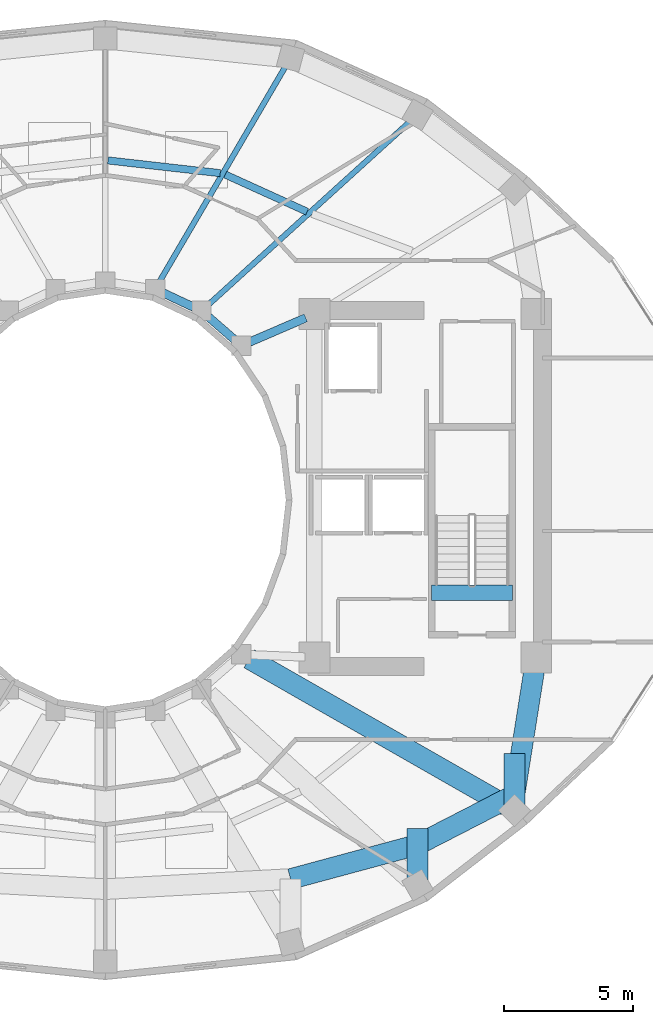
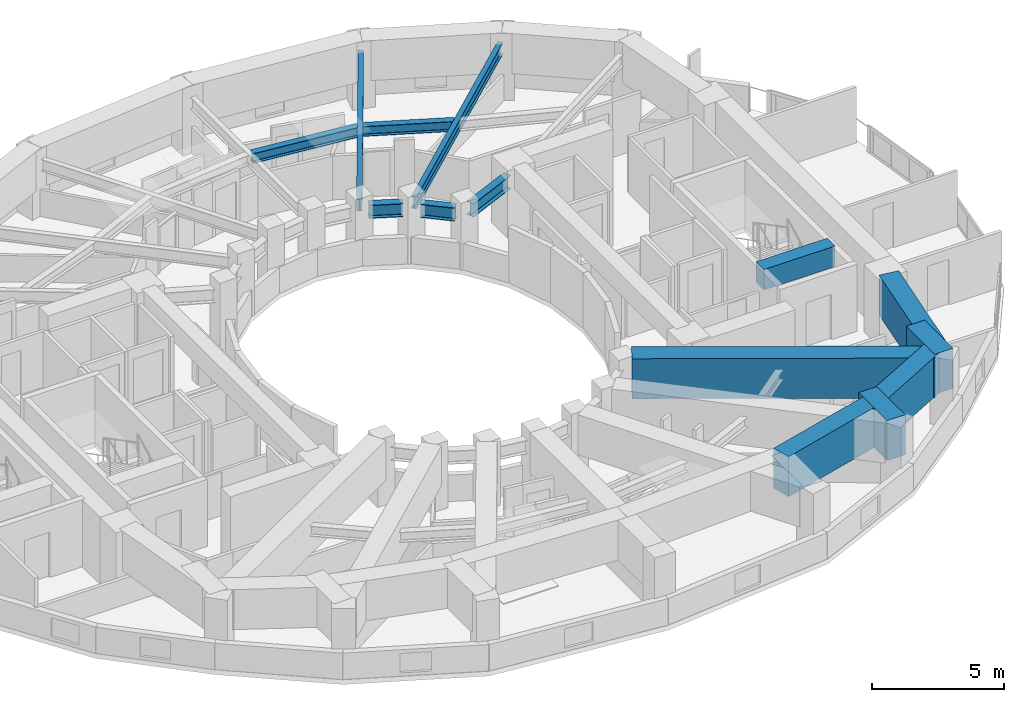
# One storey, part 2 of 13: 14 beams.
"""IFC4 building model written with IfcOpenShell, lengths in metres."""

import ifcopenshell
import ifcopenshell.guid

model = None  # the IFC model being written
_history = None  # IfcOwnerHistory: only IFC2X3 demands one
_inside = {}  # id of a spatial element -> (the spatial element, [elements in it])
_under = {}  # id of a project, library or spatial element -> (it, [spatial elements below it])
_declared = {}  # id of a project -> (the project, [libraries it declares])
_typed = {}  # id of a type object -> (the type object, [elements of that type])
_made_of = {}  # id of a material, layer set ... -> (it, [elements and type objects made of it])


def new_model(schema):
    """Start an empty IFC model of exactly this schema.

    Asked for "IFC4X3", IfcOpenShell would pick the latest addendum, in which some entities
    have other attributes; the version numbers below select the first issue.
    IFC2X3 requires an IfcOwnerHistory on every rooted entity: one is made here for all.
    """
    global model, _history
    if schema == "IFC4X3":
        model = ifcopenshell.file(schema_version=(4, 3, 0, 0))
    else:
        model = ifcopenshell.file(schema=schema)
    _inside.clear()
    _under.clear()
    _declared.clear()
    _typed.clear()
    _made_of.clear()
    _history = None
    if model.schema == "IFC2X3":
        org = make("IfcOrganization", Name="unknown")
        user = make(
            "IfcPersonAndOrganization",
            ThePerson=make("IfcPerson", FamilyName="unknown"),
            TheOrganization=org,
        )
        app = make(
            "IfcApplication",
            ApplicationDeveloper=org,
            Version="unknown",
            ApplicationFullName="unknown",
            ApplicationIdentifier="unknown",
        )
        _history = make(
            "IfcOwnerHistory",
            OwningUser=user,
            OwningApplication=app,
            ChangeAction="ADDED",
            CreationDate=0,
        )
    return model


def make(cls, **values):
    """One entity of the class cls with the attributes given. An attribute that is None is left unset."""
    return model.create_entity(
        cls, **{name: value for name, value in values.items() if value is not None}
    )


def rooted(cls, **values):
    """An entity with a GlobalId (a new one), such as an element, a storey or a relation."""
    return make(cls, GlobalId=ifcopenshell.guid.new(), OwnerHistory=_history, **values)


def si_unit(unit_type, name, prefix=None):
    """IfcSIUnit, for example si_unit("LENGTHUNIT", "METRE", prefix="MILLI")."""
    return make("IfcSIUnit", UnitType=unit_type, Prefix=prefix, Name=name)


def assignment(units):
    """IfcUnitAssignment: the units of a project."""
    return None if units is None else make("IfcUnitAssignment", Units=units)


def point(xyz):
    """IfcCartesianPoint."""
    return None if xyz is None else make("IfcCartesianPoint", Coordinates=xyz)


def direction(xyz):
    """IfcDirection."""
    return None if xyz is None else make("IfcDirection", DirectionRatios=xyz)


def frame(location, z_axis=None, x_axis=None):
    """IfcAxis2Placement3D, a coordinate frame: its origin and axes. An axis left out is left unset."""
    return make(
        "IfcAxis2Placement3D",
        Location=point(location),
        Axis=direction(z_axis),
        RefDirection=direction(x_axis),
    )


def frame_2d(location, x_axis=None):
    """IfcAxis2Placement2D, a coordinate frame in the plane: its origin and x axis."""
    return make(
        "IfcAxis2Placement2D", Location=point(location), RefDirection=direction(x_axis)
    )


def origin():
    """The frame at (0, 0, 0) with its axes left unset."""
    return frame((0.0, 0.0, 0.0))


def origin_2d():
    """The frame at (0, 0) in the plane with its x axis left unset."""
    return frame_2d((0.0, 0.0))


def place(relative_to, where):
    """IfcLocalPlacement: puts the frame where relative to a parent placement (None: the world)."""
    return make(
        "IfcLocalPlacement", PlacementRelTo=relative_to, RelativePlacement=where
    )


def context(
    kind, dimensions, precision=None, world=None, true_north=None, identifier=None
):
    """IfcGeometricRepresentationContext, for example the 3D "Model" context."""
    return make(
        "IfcGeometricRepresentationContext",
        ContextIdentifier=identifier,
        ContextType=kind,
        CoordinateSpaceDimension=dimensions,
        Precision=precision,
        WorldCoordinateSystem=world,
        TrueNorth=true_north,
    )


def subcontext(parent, identifier, kind, view, scale=None):
    """IfcGeometricRepresentationSubContext, for example "Body" below "Model"."""
    return make(
        "IfcGeometricRepresentationSubContext",
        ContextIdentifier=identifier,
        ContextType=kind,
        ParentContext=parent,
        TargetScale=scale,
        TargetView=view,
    )


def project(units=None, contexts=None):
    """IfcProject with its units and contexts."""
    return rooted(
        "IfcProject",
        Name="project",
        RepresentationContexts=contexts,
        UnitsInContext=assignment(units),
    )


def spatial(cls, under=None, at=None, **own):
    """A site, building, storey or space (cls), placed at a placement, below another one or the project."""
    s = rooted(cls, ObjectPlacement=at, **own)
    if under is not None:
        _under.setdefault(under.id(), (under, []))[1].append(s)
    return s


def profile(cls, at=None, kind="AREA", **sizes):
    """A parametric profile (cls). Its sizes go by their IFC names, for example OverallWidth=200.0."""
    return make(cls, ProfileType=kind, Position=at, **sizes)


def rectangle(**sizes):
    """IfcRectangleProfileDef."""
    return profile("IfcRectangleProfileDef", **sizes)


def i_section(**sizes):
    """IfcIShapeProfileDef."""
    return profile("IfcIShapeProfileDef", **sizes)


def extrude(swept, where, along, depth):
    """IfcExtrudedAreaSolid: the profile swept, set in the frame where, extruded along a direction by depth."""
    return make(
        "IfcExtrudedAreaSolid",
        SweptArea=swept,
        Position=where,
        ExtrudedDirection=direction(along),
        Depth=depth,
    )


def shape(context_of_items, identifier, shape_type, items):
    """IfcShapeRepresentation: the items that make up one representation, for example the "Body"."""
    return make(
        "IfcShapeRepresentation",
        ContextOfItems=context_of_items,
        RepresentationIdentifier=identifier,
        RepresentationType=shape_type,
        Items=items,
    )


def material(Name=None, Category=None):
    """IfcMaterial."""
    return make("IfcMaterial", Name=Name, Category=Category)


def material_profile(
    of_material, cross_section, Name=None, Category=None, Priority=None
):
    """IfcMaterialProfile: a cross section and its material."""
    return make(
        "IfcMaterialProfile",
        Name=Name,
        Material=of_material,
        Profile=cross_section,
        Priority=Priority,
        Category=Category,
    )


def profile_set(profiles, Name=None, composite=None):
    """IfcMaterialProfileSet."""
    return make(
        "IfcMaterialProfileSet",
        Name=Name,
        MaterialProfiles=profiles,
        CompositeProfile=composite,
    )


def made_of(thing, what):
    """Note that an element or type object is made of a material, layer set ...; save() writes the relation."""
    if what is not None:
        _made_of.setdefault(what.id(), (what, []))[1].append(thing)
    return thing


def type_object(cls, material=None, **own):
    """A type object (cls), such as IfcWallType, which elements share."""
    return made_of(rooted(cls, **own), material)


def element(
    cls,
    number,
    at=None,
    inside=None,
    cuts=None,
    type_object=None,
    material=None,
    context=None,
    identifier="Body",
    shape_type=None,
    held_by="IfcProductDefinitionShape",
    body=None,
    shapes=None,
    **own,
):
    """One element of the class cls, such as IfcWall. Its Tag is "e" and its number.

    at: its placement. inside: the storey or other place that contains it. cuts: it is an
    opening in that element (IfcRelVoidsElement). A single representation is given by context,
    identifier, shape_type and body (its items); several are given by shapes. held_by: the class
    of the entity that holds the representations. save() writes the other relations.
    """
    e = rooted(cls, Tag="e%d" % number, ObjectPlacement=at, **own)
    if body is not None:
        shapes = [shape(context, identifier, shape_type, body)]
    if shapes is not None:
        e.Representation = make(held_by, Representations=shapes)
    if inside is not None:
        _inside.setdefault(inside.id(), (inside, []))[1].append(e)
    if cuts is not None:
        rooted(
            "IfcRelVoidsElement", RelatingBuildingElement=cuts, RelatedOpeningElement=e
        )
    if type_object is not None:
        _typed.setdefault(type_object.id(), (type_object, []))[1].append(e)
    return made_of(e, material)


def aggregate(whole, parts):
    """IfcRelAggregates: a whole, such as a stair, and the parts it consists of."""
    return rooted("IfcRelAggregates", RelatingObject=whole, RelatedObjects=parts)


def save(model, path):
    """Write the relations noted so far, then the file.

    IfcRelAggregates (storeys below a building ...), IfcRelContainedInSpatialStructure (elements
    in a storey), IfcRelDefinesByType, IfcRelAssociatesMaterial and IfcRelDeclares: one each for
    every whole, place, type object, material and project.
    """
    for whole, parts in _under.values():
        aggregate(whole, parts)
    for where, things in _inside.values():
        rooted(
            "IfcRelContainedInSpatialStructure",
            RelatedElements=things,
            RelatingStructure=where,
        )
    for kind, things in _typed.values():
        rooted("IfcRelDefinesByType", RelatedObjects=things, RelatingType=kind)
    for what, things in _made_of.values():
        rooted("IfcRelAssociatesMaterial", RelatedObjects=things, RelatingMaterial=what)
    for by, libraries in _declared.values():
        rooted("IfcRelDeclares", RelatingContext=by, RelatedDefinitions=libraries)
    model.write(path)


model = new_model("IFC4")

# Units and contexts
model_context = context("Model", 3, precision=1e-05, world=origin(), true_north=direction((0.0, 1.0)))
body_context = subcontext(model_context, "Body", "Model", "MODEL_VIEW")
ifc_project = project(units=[si_unit("LENGTHUNIT", "METRE"), si_unit("AREAUNIT", "SQUARE_METRE"), si_unit("VOLUMEUNIT", "CUBIC_METRE"), si_unit("PLANEANGLEUNIT", "RADIAN"), si_unit("MASSUNIT", "GRAM", prefix="KILO")], contexts=[model_context])

# Site, building, storey
site_placement = place(None, origin())
site = spatial("IfcSite", under=ifc_project, at=site_placement, CompositionType="ELEMENT")
building_placement = place(site_placement, origin())
building = spatial("IfcBuilding", under=site, at=building_placement, Name="Solvane Sanctuary Tower", CompositionType="ELEMENT")
storey_placement = place(building_placement, frame((0.0, 0.0, 149.800048828125)))
storey = spatial("IfcBuildingStorey", under=building, at=storey_placement, Name="L45", CompositionType="ELEMENT", Elevation=149.800048828125)

# Beams
ifc_material_1 = material(Name="Concrete C70/85", Category="concrete")
ifc_material_profile_1 = material_profile(ifc_material_1, rectangle(XDim=0.60009765625, YDim=0.949951171875, at=origin_2d()), Name="RC600X950")
ifc_profile_set_1 = profile_set([ifc_material_profile_1], Name="Concrete C70/85")
beam_type_1 = type_object("IfcBeamType", Name="Beam B-COUPLE RC600X950", PredefinedType="LINTEL", material=ifc_profile_set_1)
beam_1_placement = place(storey_placement, frame((44.64990234375, 19.399169921875, 2.625), z_axis=(1.0, 0.0, 0.0), x_axis=(0.0, 1.0, 0.0)))
element("IfcBeam", 1, at=beam_1_placement, inside=storey, type_object=beam_type_1, Name="L45 ST-2 Stair Floor Landing Trimmer", PredefinedType="LINTEL", context=body_context, shape_type="SweptSolid", body=[
    extrude(rectangle(XDim=0.60009765625, YDim=0.949951171875, at=origin_2d()), origin(), (0.0, 0.0, 1.0), 3.1201171875),
])
ifc_material_2 = material(Name="Steel ASTM A992 Grade 50", Category="steel")
ifc_material_profile_2 = material_profile(ifc_material_2, i_section(OverallWidth=0.214111328125, OverallDepth=0.549072265625, WebThickness=0.0146484375, FlangeThickness=0.023681640625, FilletRadius=0.014892578125, at=origin_2d()), Name="W21X93")
ifc_profile_set_2 = profile_set([ifc_material_profile_2], Name="Steel ASTM A992 Grade 50")
beam_type_2 = type_object("IfcBeamType", Name="Beam B-RAD-Z3 W21X93", PredefinedType="JOIST", material=ifc_profile_set_2)
beam_2_placement = place(storey_placement, frame((35.937255859375, 30.514892578125, 2.323486328125), z_axis=(0.74020423772, 0.672382098558, 0.0), x_axis=(-0.672382098558, 0.74020423772, 0.0)))
element("IfcBeam", 2, at=beam_2_placement, inside=storey, type_object=beam_type_2, Name="L45 Radial Composite Floor Beam 02", PredefinedType="JOIST", context=body_context, shape_type="SweptSolid", body=[
    extrude(i_section(OverallWidth=0.214111328125, OverallDepth=0.549072265625, WebThickness=0.0146484375, FlangeThickness=0.023681640625, FilletRadius=0.014892578125, at=origin_2d()), origin(), (0.0, 0.0, 1.0), 10.7451171875),
])
beam_3_placement = place(storey_placement, frame((34.072265625, 31.413330078125, 2.323486328125), z_axis=(0.505243742555, 0.862976686017, 0.0), x_axis=(-0.862976686017, 0.505243742555, 0.0)))
element("IfcBeam", 3, at=beam_3_placement, inside=storey, type_object=beam_type_2, Name="L45 Radial Composite Floor Beam 03", PredefinedType="JOIST", context=body_context, shape_type="SweptSolid", body=[
    extrude(i_section(OverallWidth=0.214111328125, OverallDepth=0.549072265625, WebThickness=0.0146484375, FlangeThickness=0.023681640625, FilletRadius=0.014892578125, at=origin_2d()), origin(), (0.0, 0.0, 1.0), 9.826171875),
])
ifc_material_profile_3 = material_profile(ifc_material_2, i_section(OverallWidth=0.324951171875, OverallDepth=0.615966796875, WebThickness=0.013916015625, FlangeThickness=0.021484375, FilletRadius=0.01611328125, at=origin_2d()), Name="W24X117")
ifc_profile_set_3 = profile_set([ifc_material_profile_3], Name="Steel ASTM A992 Grade 50")
beam_type_3 = type_object("IfcBeamType", Name="Beam B-RING-IN2 W24X117", PredefinedType="BEAM", material=ifc_profile_set_3)
beam_4_placement = place(storey_placement, frame((34.2431640625, 31.02490234375, 2.2900390625), z_axis=(0.9051808128, -0.425026700502, 0.0), x_axis=(0.425026700502, 0.9051808128, 0.0)))
element("IfcBeam", 4, at=beam_4_placement, inside=storey, type_object=beam_type_3, Name="L45 Inner Light-Well Ring Beam IC03-IC02", PredefinedType="BEAM", context=body_context, shape_type="SweptSolid", body=[
    extrude(i_section(OverallWidth=0.324951171875, OverallDepth=0.615966796875, WebThickness=0.013916015625, FlangeThickness=0.021484375, FilletRadius=0.01611328125, at=origin_2d()), origin(), (0.0, 0.0, 1.0), 1.297607421875),
])
beam_5_placement = place(storey_placement, frame((35.990234375, 30.10009765625, 2.2900390625), z_axis=(0.754311313851, -0.656516901379, 0.0), x_axis=(0.656516901379, 0.754311313851, 0.0)))
element("IfcBeam", 5, at=beam_5_placement, inside=storey, type_object=beam_type_3, Name="L45 Inner Light-Well Ring Beam IC02-IC01", PredefinedType="BEAM", context=body_context, shape_type="SweptSolid", body=[
    extrude(i_section(OverallWidth=0.324951171875, OverallDepth=0.615966796875, WebThickness=0.013916015625, FlangeThickness=0.021484375, FilletRadius=0.01611328125, at=origin_2d()), origin(), (0.0, 0.0, 1.0), 1.358154296875),
])
beam_6_placement = place(storey_placement, frame((37.591796875, 29.11865234375, 2.2900390625), z_axis=(0.918264067649, 0.395968561966, 0.0), x_axis=(-0.395968561966, 0.918264067649, 0.0)))
element("IfcBeam", 6, at=beam_6_placement, inside=storey, type_object=beam_type_3, Name="L45 Inner Light-Well Ring Beam IC01-CE4", PredefinedType="BEAM", context=body_context, shape_type="SweptSolid", body=[
    extrude(i_section(OverallWidth=0.324951171875, OverallDepth=0.615966796875, WebThickness=0.013916015625, FlangeThickness=0.021484375, FilletRadius=0.01611328125, at=origin_2d()), origin(), (0.0, 0.0, 1.0), 2.371337890625),
])
ifc_material_profile_4 = material_profile(ifc_material_2, i_section(OverallWidth=0.280029296875, OverallDepth=0.462890625, WebThickness=0.0107421875, FlangeThickness=0.017333984375, FilletRadius=0.013916015625, at=origin_2d()), Name="W18X76")
ifc_profile_set_4 = profile_set([ifc_material_profile_4], Name="Steel ASTM A992 Grade 50")
beam_type_4 = type_object("IfcBeamType", Name="Beam B-SEC-JOIST W18X76", PredefinedType="JOIST", material=ifc_profile_set_4)
beam_7_placement = place(storey_placement, frame((32.101318359375, 36.158447265625, 2.366455078125), z_axis=(0.993621305354, -0.112768353477, 0.0), x_axis=(0.112768353477, 0.993621305354, 0.0)))
element("IfcBeam", 7, at=beam_7_placement, inside=storey, type_object=beam_type_4, Name="L45 Secondary Circumferential Joist 04-03", PredefinedType="JOIST", context=body_context, shape_type="SweptSolid", body=[
    extrude(i_section(OverallWidth=0.280029296875, OverallDepth=0.462890625, WebThickness=0.0107421875, FlangeThickness=0.017333984375, FilletRadius=0.013916015625, at=origin_2d()), origin(), (0.0, 0.0, 1.0), 4.379638671875),
])
beam_8_placement = place(storey_placement, frame((36.6474609375, 35.61083984375, 2.366455078125), z_axis=(0.91050074995, -0.413507417516, 0.0), x_axis=(0.413507417516, 0.91050074995, 0.0)))
element("IfcBeam", 8, at=beam_8_placement, inside=storey, type_object=beam_type_4, Name="L45 Secondary Circumferential Joist 03-02", PredefinedType="JOIST", context=body_context, shape_type="SweptSolid", body=[
    extrude(i_section(OverallWidth=0.280029296875, OverallDepth=0.462890625, WebThickness=0.0107421875, FlangeThickness=0.017333984375, FilletRadius=0.013916015625, at=origin_2d()), origin(), (0.0, 0.0, 1.0), 3.48583984375),
])
ifc_material_profile_5 = material_profile(ifc_material_1, rectangle(XDim=0.800048828125, YDim=1.85009765625, at=origin_2d()), Name="RC800X1850")
ifc_profile_set_5 = profile_set([ifc_material_profile_5], Name="Concrete C70/85")
beam_type_5 = type_object("IfcBeamType", Name="Beam B-XFER-BLK RC800X1850", PredefinedType="BEAM", material=ifc_profile_set_5)
beam_9_placement = place(storey_placement, frame((44.09814453125, 8.1220703125, 2.175048828125), z_axis=(0.0, 1.0, 0.0), x_axis=(-1.0, 0.0, 0.0)))
element("IfcBeam", 9, at=beam_9_placement, inside=storey, type_object=beam_type_5, Name="L45 Block-Shift Transfer Tie 13B", PredefinedType="BEAM", context=body_context, shape_type="SweptSolid", body=[
    extrude(rectangle(XDim=0.800048828125, YDim=1.85009765625, at=origin_2d()), origin(), (0.0, 0.0, 1.0), 2.14990234375),
])
beam_10_placement = place(storey_placement, frame((37.574462890625, 16.8466796875, 2.175048828125), z_axis=(0.868163254615, -0.496278715377, 0.0), x_axis=(0.496278715377, 0.868163254615, 0.0)))
element("IfcBeam", 10, at=beam_10_placement, inside=storey, type_object=beam_type_5, Name="L45 Block-Shift Radial Transfer Girder 14A", PredefinedType="BEAM", context=body_context, shape_type="SweptSolid", body=[
    extrude(rectangle(XDim=0.800048828125, YDim=1.85009765625, at=origin_2d()), origin(), (0.0, 0.0, 1.0), 11.4736328125),
])
beam_11_placement = place(storey_placement, frame((47.856689453125, 11.018798828125, 2.175048828125), z_axis=(0.0, 1.0, 0.0), x_axis=(-1.0, 0.0, 0.0)))
element("IfcBeam", 11, at=beam_11_placement, inside=storey, type_object=beam_type_5, Name="L45 Block-Shift Transfer Tie 14B", PredefinedType="BEAM", context=body_context, shape_type="SweptSolid", body=[
    extrude(rectangle(XDim=0.800048828125, YDim=1.85009765625, at=origin_2d()), origin(), (0.0, 0.0, 1.0), 2.150146484375),
])
beam_12_placement = place(storey_placement, frame((39.17822265625, 8.313232421875, 2.175048828125), z_axis=(0.965477774792, 0.260485443705, 0.0), x_axis=(-0.260485443705, 0.965477774792, 0.0)))
element("IfcBeam", 12, at=beam_12_placement, inside=storey, type_object=beam_type_5, Name="L45 Perimeter Step Transfer Ring NTC12-NTC13", PredefinedType="BEAM", context=body_context, shape_type="SweptSolid", body=[
    extrude(rectangle(XDim=0.800048828125, YDim=1.85009765625, at=origin_2d()), origin(), (0.0, 0.0, 1.0), 5.095947265625),
])
beam_13_placement = place(storey_placement, frame((44.09814453125, 9.640625, 2.175048828125), z_axis=(0.889297870953, 0.457328434189, 0.0), x_axis=(-0.457328434189, 0.889297870953, 0.0)))
element("IfcBeam", 13, at=beam_13_placement, inside=storey, type_object=beam_type_5, Name="L45 Perimeter Step Transfer Ring NTC13-NTC14", PredefinedType="BEAM", context=body_context, shape_type="SweptSolid", body=[
    extrude(rectangle(XDim=0.800048828125, YDim=1.85009765625, at=origin_2d()), origin(), (0.0, 0.0, 1.0), 4.226318359375),
])
beam_14_placement = place(storey_placement, frame((47.856689453125, 11.573486328125, 2.175048828125), z_axis=(0.156393503441, 0.987694827404, 0.0), x_axis=(-0.987694827404, 0.156393503441, 0.0)))
element("IfcBeam", 14, at=beam_14_placement, inside=storey, type_object=beam_type_5, Name="L45 Perimeter Step Transfer Ring NTC14-CE2", PredefinedType="BEAM", context=body_context, shape_type="SweptSolid", body=[
    extrude(rectangle(XDim=0.800048828125, YDim=1.85009765625, at=origin_2d()), origin(), (0.0, 0.0, 1.0), 5.032958984375),
])

save(model, "model.ifc")
